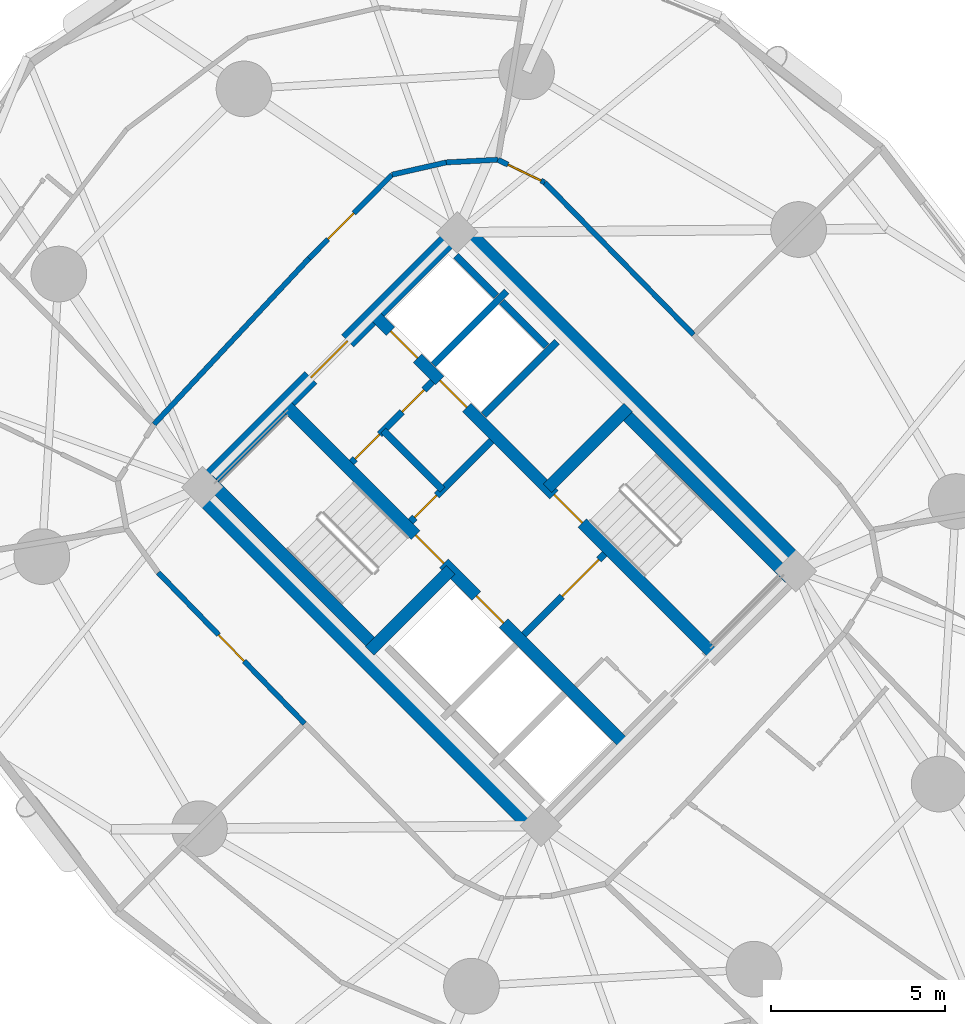
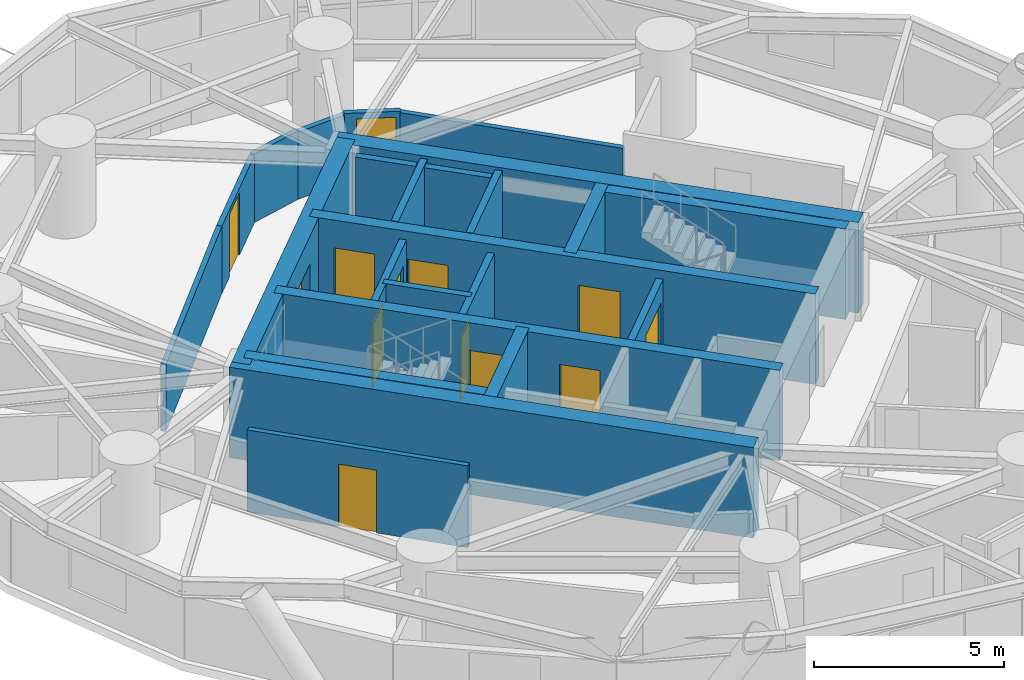
# One storey, part 13 of 19: 24 walls, 13 doors, 13 openings.
"""IFC4 building model written with IfcOpenShell, lengths in metres."""

from ifc_helpers import new_model, si_unit, direction, frame, frame_2d, origin, place, context, subcontext, project, spatial, rectangle, extrude, source, transform, mapped, material, layer, layer_set, type_object, element, fill, save


model = new_model("IFC4")

# Units and contexts
model_context = context("Model", 3, precision=1e-05, world=origin(), true_north=direction((0.0, 1.0)))
body_context = subcontext(model_context, "Body", "Model", "MODEL_VIEW")
ifc_project = project(units=[si_unit("LENGTHUNIT", "METRE"), si_unit("AREAUNIT", "SQUARE_METRE"), si_unit("VOLUMEUNIT", "CUBIC_METRE"), si_unit("PLANEANGLEUNIT", "RADIAN"), si_unit("MASSUNIT", "GRAM", prefix="KILO")], contexts=[model_context])

# Site, building, storey
site_placement = place(None, origin())
site = spatial("IfcSite", under=ifc_project, at=site_placement, CompositionType="ELEMENT")
building_placement = place(site_placement, origin())
building = spatial("IfcBuilding", under=site, at=building_placement, Name="Cununo Teusaquillo Station Towers", CompositionType="ELEMENT")
storey_placement = place(building_placement, frame((0.0, 0.0, 42.3701171875)))
storey = spatial("IfcBuildingStorey", under=building, at=storey_placement, Name="L12", CompositionType="ELEMENT", Elevation=42.3701171875)

# Walls
ifc_material_1 = material(Name="Concrete C50/60", Category="concrete")
ifc_layer_1 = layer(ifc_material_1, 0.199951171875)
ifc_layer_set_1 = layer_set([ifc_layer_1], Name="Concrete C50/60")
wall_type_1 = type_object("IfcWallType", Name="WL-CORE-200", PredefinedType="SHEAR", material=ifc_layer_set_1)
wall_1_placement = place(storey_placement, frame((57.0615234375, 27.781005859375, 0.0), z_axis=(0.0, 0.0, 1.0), x_axis=(0.707106781187, 0.707106781187, 0.0)))
element("IfcWall", 1, at=wall_1_placement, inside=storey, type_object=wall_type_1, Name="L12 Tower B Low-Rise Lift Hoistway South Shear Wall", PredefinedType="SHEAR", context=body_context, shape_type="SweptSolid", body=[
    extrude(rectangle(XDim=2.969970703125, YDim=0.199951171875, at=frame_2d((1.48486328125, 0.0))), origin(), (0.0, 0.0, 1.0), 2.909912109375),
])
wall_2_placement = place(storey_placement, frame((55.615478515625, 29.22705078125, 0.0), z_axis=(0.0, 0.0, 1.0), x_axis=(0.707147878904, 0.70706568108, 0.0)))
element("IfcWall", 2, at=wall_2_placement, inside=storey, type_object=wall_type_1, Name="L12 Tower B Low-Rise Lift Hoistway Divider Shear Wall", PredefinedType="SHEAR", context=body_context, shape_type="SweptSolid", body=[
    extrude(rectangle(XDim=2.97021484375, YDim=0.199951171875, at=frame_2d((1.485107421875, 0.0))), origin(), (0.0, 0.0, 1.0), 2.909912109375),
])
wall_3_placement = place(storey_placement, frame((58.86474609375, 29.75390625, 0.0), z_axis=(0.0, 0.0, 1.0), x_axis=(-0.707174411312, 0.707039144592, 0.0)))
element("IfcWall", 3, at=wall_3_placement, inside=storey, type_object=wall_type_1, Name="L12 Tower B Low-Rise Lift 1 Shaft Rear Shear Wall", PredefinedType="SHEAR", context=body_context, shape_type="SweptSolid", body=[
    extrude(rectangle(XDim=1.804931640625, YDim=0.199951171875, at=frame_2d((0.90234375, 0.0))), origin(), (0.0, 0.0, 1.0), 2.909912109375),
])
wall_4_placement = place(storey_placement, frame((57.418701171875, 31.19970703125, 0.0), z_axis=(0.0, 0.0, 1.0), x_axis=(-0.707032117043, 0.707181437447, 0.0)))
element("IfcWall", 4, at=wall_4_placement, inside=storey, type_object=wall_type_1, Name="L12 Tower B Low-Rise Lift 2 Shaft Rear Shear Wall", PredefinedType="SHEAR", context=body_context, shape_type="SweptSolid", body=[
    extrude(rectangle(XDim=1.635009765625, YDim=0.199951171875, at=frame_2d((0.8173828125, 0.0))), origin(), (0.0, 0.0, 1.0), 2.909912109375),
])

# Wall, openings, doors
ifc_material_2 = material(Name="Concrete C50/60", Category="concrete")
ifc_layer_2 = layer(ifc_material_2, 0.35009765625)
ifc_layer_set_2 = layer_set([ifc_layer_2], Name="Concrete C50/60")
wall_type_2 = type_object("IfcWallType", Name="WL-CORE-350", PredefinedType="SHEAR", material=ifc_layer_set_2)
wall_5_placement = place(storey_placement, frame((61.095703125, 18.337646484375, 0.0), z_axis=(0.0, 0.0, 1.0), x_axis=(-0.707106781187, 0.707106781187, 0.0)))
wall_5 = element("IfcWall", 5, at=wall_5_placement, inside=storey, type_object=wall_type_2, Name="L12 Tower B Core Shear Wall IW", PredefinedType="SHEAR", context=body_context, shape_type="SweptSolid", body=[
    extrude(rectangle(XDim=13.800048828125, YDim=0.35009765625, at=frame_2d((6.89990234375, 0.0))), origin(), (0.0, 0.0, 1.0), 2.909912109375),
])
shared_shape_1 = source(origin(), body_context, "Body", "SweptSolid", [
    extrude(rectangle(XDim=1.10009765625, YDim=2.014892578125, at=frame_2d((0.550048828125, 1.00732421875))), frame((0.0, 0.18505859375, 0.0), z_axis=(0.0, -1.0, 0.0), x_axis=(1.0, 0.0, 0.0)), (0.0, 0.0, 1.0), 0.3701171875),
])
opening_1_placement = place(wall_5_placement, frame((4.89990234375, 0.0, 0.0)))
opening_1 = element("IfcOpeningElement", 6, at=opening_1_placement, cuts=wall_5, Name="Opening LD-01", PredefinedType="OPENING", context=body_context, shape_type="MappedRepresentation", body=[
    mapped(shared_shape_1, transform((0.0, 0.0, 0.0), x_axis=(1.0, 0.0, 0.0), y_axis=(0.0, 1.0, 0.0), z_axis=(0.0, 0.0, 1.0), scale=1.0)),
])
shared_shape_2 = source(origin(), body_context, "Body", "SweptSolid", [
    extrude(rectangle(XDim=1.14990234375, YDim=2.02001953125, at=frame_2d((0.574951171875, 1.010009765625))), frame((0.0, 0.18505859375, 0.0), z_axis=(0.0, -1.0, 0.0), x_axis=(1.0, 0.0, 0.0)), (0.0, 0.0, 1.0), 0.3701171875),
])
opening_2_placement = place(wall_5_placement, frame((7.320068359375, 0.0, 0.0)))
opening_2 = element("IfcOpeningElement", 7, at=opening_2_placement, cuts=wall_5, Name="Opening D-ST1", PredefinedType="OPENING", context=body_context, shape_type="MappedRepresentation", body=[
    mapped(shared_shape_2, transform((0.0, 0.0, 0.0), x_axis=(1.0, 0.0, 0.0), y_axis=(0.0, 1.0, 0.0), z_axis=(0.0, 0.0, 1.0), scale=1.0)),
])
ifc_material_3 = material(Name="Galvanised fire-rated hollow steel door assembly", Category="steel")
door_type_1 = type_object("IfcDoorType", Name="DR-LIFT-1100", OperationType="SLIDING_TO_LEFT", PredefinedType="DOOR", material=ifc_material_3)
shared_shape_3 = source(origin(), body_context, "Body", "SweptSolid", [
    extrude(rectangle(XDim=1.10009765625, YDim=2.014892578125, at=frame_2d((0.550048828125, 1.00732421875))), frame((0.0, 0.02490234375, 0.0), z_axis=(0.0, -1.0, 0.0), x_axis=(1.0, 0.0, 0.0)), (0.0, 0.0, 1.0), 0.050048828125),
])
door_1_placement = place(opening_1_placement, origin())
door_1 = element("IfcDoor", 8, at=door_1_placement, inside=storey, type_object=door_type_1, Name="L12 Lift FL-T2 Sliding Landing Door", OperationType="SLIDING_TO_RIGHT", OverallHeight=2.014892578125, OverallWidth=1.10009765625, PredefinedType="DOOR", context=body_context, shape_type="MappedRepresentation", body=[
    mapped(shared_shape_3, transform((0.0, 0.0, 0.0), x_axis=(1.0, 0.0, 0.0), y_axis=(0.0, 1.0, 0.0), z_axis=(0.0, 0.0, 1.0), scale=1.0)),
])
fill(opening_1, door_1)
ifc_material_4 = material(Name="Galvanised fire-rated hollow steel door assembly", Category="steel")
door_type_2 = type_object("IfcDoorType", Name="DR-STAIR-1150", OperationType="NOTDEFINED", PredefinedType="DOOR", material=ifc_material_4)
shared_shape_4 = source(origin(), body_context, "Body", "SweptSolid", [
    extrude(rectangle(XDim=1.14990234375, YDim=2.02001953125, at=frame_2d((0.574951171875, 1.010009765625))), frame((0.0, 0.02490234375, 0.0), z_axis=(0.0, -1.0, 0.0), x_axis=(1.0, 0.0, 0.0)), (0.0, 0.0, 1.0), 0.050048828125),
])
door_2_placement = place(opening_2_placement, origin())
door_2 = element("IfcDoor", 9, at=door_2_placement, inside=storey, type_object=door_type_2, Name="L12 Tower B Exit Stair 1 Fire Door", OperationType="SINGLE_SWING_RIGHT", OverallHeight=2.02001953125, OverallWidth=1.14990234375, PredefinedType="DOOR", context=body_context, shape_type="MappedRepresentation", body=[
    mapped(shared_shape_4, transform((0.0, 0.0, 0.0), x_axis=(1.0, 0.0, 0.0), y_axis=(0.0, 1.0, 0.0), z_axis=(0.0, 0.0, 1.0), scale=1.0)),
])
fill(opening_2, door_2)

wall_6_placement = place(storey_placement, frame((63.662353515625, 20.904296875, 0.0), z_axis=(0.0, 0.0, 1.0), x_axis=(-0.707106781187, 0.707106781187, 0.0)))
wall_6 = element("IfcWall", 10, at=wall_6_placement, inside=storey, type_object=wall_type_2, Name="L12 Tower B Core Shear Wall IE", PredefinedType="SHEAR", context=body_context, shape_type="SweptSolid", body=[
    extrude(rectangle(XDim=13.800048828125, YDim=0.35009765625, at=frame_2d((6.89990234375, 0.0))), origin(), (0.0, 0.0, 1.0), 2.909912109375),
])
opening_3_placement = place(wall_6_placement, frame((10.02490234375, 0.0, 0.0)))
opening_3 = element("IfcOpeningElement", 11, at=opening_3_placement, cuts=wall_6, Name="Opening LD-01", PredefinedType="OPENING", context=body_context, shape_type="MappedRepresentation", body=[
    mapped(shared_shape_1, transform((0.0, 0.0, 0.0), x_axis=(1.0, 0.0, 0.0), y_axis=(0.0, 1.0, 0.0), z_axis=(0.0, 0.0, 1.0), scale=1.0)),
])
opening_4_placement = place(wall_6_placement, frame((12.02490234375, 0.0, 0.0)))
opening_4 = element("IfcOpeningElement", 12, at=opening_4_placement, cuts=wall_6, Name="Opening LD-01", PredefinedType="OPENING", context=body_context, shape_type="MappedRepresentation", body=[
    mapped(shared_shape_1, transform((0.0, 0.0, 0.0), x_axis=(1.0, 0.0, 0.0), y_axis=(0.0, 1.0, 0.0), z_axis=(0.0, 0.0, 1.0), scale=1.0)),
])
opening_5_placement = place(wall_6_placement, frame((5.330078125, 0.0, 0.0)))
opening_5 = element("IfcOpeningElement", 13, at=opening_5_placement, cuts=wall_6, Name="Opening D-ST1", PredefinedType="OPENING", context=body_context, shape_type="MappedRepresentation", body=[
    mapped(shared_shape_2, transform((0.0, 0.0, 0.0), x_axis=(1.0, 0.0, 0.0), y_axis=(0.0, 1.0, 0.0), z_axis=(0.0, 0.0, 1.0), scale=1.0)),
])
door_3_placement = place(opening_3_placement, origin())
door_3 = element("IfcDoor", 14, at=door_3_placement, inside=storey, type_object=door_type_1, Name="L12 Lift PL-T2-L1 Sliding Landing Door", OperationType="SLIDING_TO_LEFT", OverallHeight=2.014892578125, OverallWidth=1.10009765625, PredefinedType="DOOR", context=body_context, shape_type="MappedRepresentation", body=[
    mapped(shared_shape_3, transform((0.0, 0.0, 0.0), x_axis=(1.0, 0.0, 0.0), y_axis=(0.0, 1.0, 0.0), z_axis=(0.0, 0.0, 1.0), scale=1.0)),
])
fill(opening_3, door_3)
door_4_placement = place(opening_4_placement, origin())
door_4 = element("IfcDoor", 15, at=door_4_placement, inside=storey, type_object=door_type_1, Name="L12 Lift PL-T2-L2 Sliding Landing Door", OperationType="SLIDING_TO_RIGHT", OverallHeight=2.014892578125, OverallWidth=1.10009765625, PredefinedType="DOOR", context=body_context, shape_type="MappedRepresentation", body=[
    mapped(shared_shape_3, transform((0.0, 0.0, 0.0), x_axis=(1.0, 0.0, 0.0), y_axis=(0.0, 1.0, 0.0), z_axis=(0.0, 0.0, 1.0), scale=1.0)),
])
fill(opening_4, door_4)
door_5_placement = place(opening_5_placement, origin())
door_5 = element("IfcDoor", 16, at=door_5_placement, inside=storey, type_object=door_type_2, Name="L12 Tower B Exit Stair 2 Fire Door", OperationType="SINGLE_SWING_LEFT", OverallHeight=2.02001953125, OverallWidth=1.14990234375, PredefinedType="DOOR", context=body_context, shape_type="MappedRepresentation", body=[
    mapped(shared_shape_4, transform((0.0, 0.0, 0.0), x_axis=(1.0, 0.0, 0.0), y_axis=(0.0, 1.0, 0.0), z_axis=(0.0, 0.0, 1.0), scale=1.0)),
])
fill(opening_5, door_5)

# Walls
wall_7_placement = place(storey_placement, frame((53.922119140625, 21.14111328125, 0.0), z_axis=(0.0, 0.0, 1.0), x_axis=(-0.707106781187, 0.707106781187, 0.0)))
element("IfcWall", 17, at=wall_7_placement, inside=storey, type_object=wall_type_2, Name="L12 Tower B Core Shear Wall ST1W", PredefinedType="SHEAR", context=body_context, shape_type="SweptSolid", body=[
    extrude(rectangle(XDim=6.7451171875, YDim=0.35009765625, at=frame_2d((3.37255859375, 0.0))), origin(), (0.0, 0.0, 1.0), 2.909912109375),
])
wall_8_placement = place(storey_placement, frame((53.7841796875, 21.00341796875, 0.0), z_axis=(0.0, 0.0, 1.0), x_axis=(0.707106781187, 0.707106781187, 0.0)))
element("IfcWall", 18, at=wall_8_placement, inside=storey, type_object=wall_type_2, Name="L12 Tower B Core Shear Wall ST1S", PredefinedType="SHEAR", context=body_context, shape_type="SweptSolid", body=[
    extrude(rectangle(XDim=3.284912109375, YDim=0.35009765625, at=frame_2d((1.642578125, 0.0))), origin(), (0.0, 0.0, 1.0), 2.909912109375),
])
wall_9_placement = place(storey_placement, frame((65.847412109375, 23.08935546875, 0.0), z_axis=(0.0, 0.0, 1.0), x_axis=(-0.707106781187, 0.707106781187, 0.0)))
element("IfcWall", 19, at=wall_9_placement, inside=storey, type_object=wall_type_2, Name="L12 Tower B Core Shear Wall ST2E", PredefinedType="SHEAR", context=body_context, shape_type="SweptSolid", body=[
    extrude(rectangle(XDim=6.7451171875, YDim=0.35009765625, at=frame_2d((3.37255859375, 0.0))), origin(), (0.0, 0.0, 1.0), 2.909912109375),
])
wall_10_placement = place(storey_placement, frame((58.89306640625, 25.673828125, 0.0), z_axis=(0.0, 0.0, 1.0), x_axis=(0.707106781187, 0.707106781187, 0.0)))
element("IfcWall", 20, at=wall_10_placement, inside=storey, type_object=wall_type_2, Name="L12 Tower B Core Shear Wall ST2N", PredefinedType="SHEAR", context=body_context, shape_type="SweptSolid", body=[
    extrude(rectangle(XDim=3.284912109375, YDim=0.35009765625, at=frame_2d((1.642578125, 0.0))), origin(), (0.0, 0.0, 1.0), 2.909912109375),
])
ifc_material_5 = material(Name="Concrete C60/75", Category="concrete")
ifc_layer_3 = layer(ifc_material_5, 0.5)
ifc_layer_set_3 = layer_set([ifc_layer_3], Name="Concrete C60/75")
wall_type_3 = type_object("IfcWallType", Name="WL-CORE-500", PredefinedType="SHEAR", material=ifc_layer_set_3)
for number, where, z_axis, x_axis, name in (
    (21, (58.772705078125, 15.6611328125, 0.0), (0.0, 0.0, 1.0), (-0.707106781187, 0.707106781187, 0.0), "L12 Tower B Core Shear Wall W"),
    (22, (66.3388671875, 23.227294921875, 0.0), (0.0, 0.0, 1.0), (-0.707106781187, 0.707106781187, 0.0), "L12 Tower B Core Shear Wall E"),
):
    element("IfcWall", number, at=place(storey_placement, frame(where, z_axis=z_axis, x_axis=x_axis)), inside=storey, type_object=wall_type_3, Name=name, PredefinedType="SHEAR", context=body_context, shape_type="SweptSolid", body=[
        extrude(rectangle(XDim=14.2998046875, YDim=0.5, at=frame_2d((7.14990234375, 0.0))), origin(), (0.0, 0.0, 1.0), 2.909912109375),
    ])

# Wall, opening, door
wall_11_placement = place(storey_placement, frame((48.837890625, 25.595947265625, 0.0), z_axis=(0.0, 0.0, 1.0), x_axis=(0.707106781187, 0.707106781187, 0.0)))
wall_11 = element("IfcWall", 23, at=wall_11_placement, inside=storey, type_object=wall_type_3, Name="L12 Tower B Core Shear Wall N", PredefinedType="SHEAR", context=body_context, shape_type="SweptSolid", body=[
    extrude(rectangle(XDim=10.7001953125, YDim=0.5, at=frame_2d((5.35009765625, 0.0))), origin(), (0.0, 0.0, 1.0), 2.909912109375),
])
shared_shape_5 = source(origin(), body_context, "Body", "SweptSolid", [
    extrude(rectangle(XDim=1.5, YDim=2.02001953125, at=frame_2d((0.75, 1.010009765625))), frame((0.0, 0.260009765625, 0.0), z_axis=(0.0, -1.0, 0.0), x_axis=(1.0, 0.0, 0.0)), (0.0, 0.0, 1.0), 0.52001953125),
])
opening_6_placement = place(wall_11_placement, frame((4.60009765625, 0.0, 0.0)))
opening_6 = element("IfcOpeningElement", 24, at=opening_6_placement, cuts=wall_11, Name="Opening D-LB1", PredefinedType="OPENING", context=body_context, shape_type="MappedRepresentation", body=[
    mapped(shared_shape_5, transform((0.0, 0.0, 0.0), x_axis=(1.0, 0.0, 0.0), y_axis=(0.0, 1.0, 0.0), z_axis=(0.0, 0.0, 1.0), scale=1.0)),
])
ifc_material_6 = material(Name="Galvanised fire-rated hollow steel door assembly", Category="steel")
door_type_3 = type_object("IfcDoorType", Name="DR-LOBBY-1500", OperationType="DOUBLE_DOOR_SINGLE_SWING", PredefinedType="DOOR", material=ifc_material_6)
shared_shape_6 = source(origin(), body_context, "Body", "SweptSolid", [
    extrude(rectangle(XDim=1.5, YDim=2.02001953125, at=frame_2d((0.75, 1.010009765625))), frame((0.0, 0.02490234375, 0.0), z_axis=(0.0, -1.0, 0.0), x_axis=(1.0, 0.0, 0.0)), (0.0, 0.0, 1.0), 0.050048828125),
])
door_6_placement = place(opening_6_placement, origin())
door_6 = element("IfcDoor", 25, at=door_6_placement, inside=storey, type_object=door_type_3, Name="L12 Tower B North Core Lift Lobby Door", OperationType="DOUBLE_DOOR_SINGLE_SWING", OverallHeight=2.02001953125, OverallWidth=1.5, PredefinedType="DOOR", context=body_context, shape_type="MappedRepresentation", body=[
    mapped(shared_shape_6, transform((0.0, 0.0, 0.0), x_axis=(1.0, 0.0, 0.0), y_axis=(0.0, 1.0, 0.0), z_axis=(0.0, 0.0, 1.0), scale=1.0)),
])
fill(opening_6, door_6)

# Wall
ifc_material_7 = material(Name="Fire-rated gypsum plasterboard partition assembly", Category="gypsum")
ifc_layer_4 = layer(ifc_material_7, 0.14990234375)
ifc_layer_set_4 = layer_set([ifc_layer_4], Name="Fire-rated gypsum plasterboard partition assembly")
wall_type_4 = type_object("IfcWallType", Name="WL-PART-150", PredefinedType="PARTITIONING", material=ifc_layer_set_4)
wall_12_placement = place(storey_placement, frame((63.086181640625, 30.086181640625, 0.0), z_axis=(0.0, 0.0, 1.0), x_axis=(-0.699075897379, 0.715047473741, 0.0)))
element("IfcWall", 26, at=wall_12_placement, inside=storey, type_object=wall_type_4, Name="L12 Tower B Corridor Ring Wall C00", PredefinedType="PARTITIONING", context=body_context, shape_type="SweptSolid", body=[
    extrude(rectangle(XDim=6.1142578125, YDim=0.14990234375, at=frame_2d((3.05712890625, 0.0))), origin(), (0.0, 0.0, 1.0), 2.158935546875),
])

# Wall, opening, door
wall_13_placement = place(storey_placement, frame((58.811767578125, 34.458251953125, 0.0), z_axis=(0.0, 0.0, 1.0), x_axis=(-0.899559490277, 0.436798264021, 0.0)))
wall_13 = element("IfcWall", 27, at=wall_13_placement, inside=storey, type_object=wall_type_4, Name="L12 Tower B Corridor Ring Wall C01", PredefinedType="PARTITIONING", context=body_context, shape_type="SweptSolid", body=[
    extrude(rectangle(XDim=1.4951171875, YDim=0.14990234375, at=frame_2d((0.74755859375, 0.0))), origin(), (0.0, 0.0, 1.0), 2.204833984375),
])
shared_shape_7 = source(origin(), body_context, "Body", "SweptSolid", [
    extrude(rectangle(XDim=1.050048828125, YDim=2.014892578125, at=frame_2d((0.52490234375, 1.00732421875))), frame((0.0, 0.0849609375, 0.0), z_axis=(0.0, -1.0, 0.0), x_axis=(1.0, 0.0, 0.0)), (0.0, 0.0, 1.0), 0.169921875),
])
opening_7_placement = place(wall_13_placement, frame((0.1201171875, 0.0, 0.0)))
opening_7 = element("IfcOpeningElement", 28, at=opening_7_placement, cuts=wall_13, Name="Opening D-SU1", PredefinedType="OPENING", context=body_context, shape_type="MappedRepresentation", body=[
    mapped(shared_shape_7, transform((0.0, 0.0, 0.0), x_axis=(1.0, 0.0, 0.0), y_axis=(0.0, 1.0, 0.0), z_axis=(0.0, 0.0, 1.0), scale=1.0)),
])
ifc_material_8 = material(Name="Acoustic solid-core hardwood leaf assembly", Category="wood")
door_type_4 = type_object("IfcDoorType", Name="DR-SUITE-1050", OperationType="NOTDEFINED", PredefinedType="DOOR", material=ifc_material_8)
shared_shape_8 = source(origin(), body_context, "Body", "SweptSolid", [
    extrude(rectangle(XDim=1.050048828125, YDim=2.014892578125, at=frame_2d((0.52490234375, 1.00732421875))), frame((0.0, 0.02490234375, 0.0), z_axis=(0.0, -1.0, 0.0), x_axis=(1.0, 0.0, 0.0)), (0.0, 0.0, 1.0), 0.050048828125),
])
door_7_placement = place(opening_7_placement, origin())
door_7 = element("IfcDoor", 29, at=door_7_placement, inside=storey, type_object=door_type_4, Name="L12 Tower B Hotel Grand Dining & Tea Lounge Entrance Door", OperationType="SINGLE_SWING_LEFT", OverallHeight=2.014892578125, OverallWidth=1.050048828125, PredefinedType="DOOR", context=body_context, shape_type="MappedRepresentation", body=[
    mapped(shared_shape_8, transform((0.0, 0.0, 0.0), x_axis=(1.0, 0.0, 0.0), y_axis=(0.0, 1.0, 0.0), z_axis=(0.0, 0.0, 1.0), scale=1.0)),
])
fill(opening_7, door_7)

# Walls
wall_14_placement = place(storey_placement, frame((57.466796875, 35.111328125, 0.0), z_axis=(0.0, 0.0, 1.0), x_axis=(-0.998691757323, -0.051134859488, 0.0)))
element("IfcWall", 30, at=wall_14_placement, inside=storey, type_object=wall_type_4, Name="L12 Tower B Corridor Ring Wall C02", PredefinedType="PARTITIONING", context=body_context, shape_type="SweptSolid", body=[
    extrude(rectangle(XDim=1.48486328125, YDim=0.14990234375, at=frame_2d((0.742431640625, 0.0))), origin(), (0.0, 0.0, 1.0), 2.158935546875),
])
wall_15_placement = place(storey_placement, frame((55.98388671875, 35.035400390625, 0.0), z_axis=(0.0, 0.0, 1.0), x_axis=(-0.975290305708, -0.22092718165, 0.0)))
element("IfcWall", 31, at=wall_15_placement, inside=storey, type_object=wall_type_4, Name="L12 Tower B Corridor Ring Wall C03", PredefinedType="PARTITIONING", context=body_context, shape_type="SweptSolid", body=[
    extrude(rectangle(XDim=1.596923828125, YDim=0.14990234375, at=frame_2d((0.79833984375, 0.0))), origin(), (0.0, 0.0, 1.0), 2.204833984375),
])

# Wall, opening, door
wall_16_placement = place(storey_placement, frame((54.426513671875, 34.6826171875, 0.0), z_axis=(0.0, 0.0, 1.0), x_axis=(-0.704178989986, -0.710022499687, 0.0)))
wall_16 = element("IfcWall", 32, at=wall_16_placement, inside=storey, type_object=wall_type_4, Name="L12 Tower B Corridor Ring Wall C04", PredefinedType="PARTITIONING", context=body_context, shape_type="SweptSolid", body=[
    extrude(rectangle(XDim=3.38427734375, YDim=0.14990234375, at=frame_2d((1.692138671875, 0.0))), origin(), (0.0, 0.0, 1.0), 2.158935546875),
])
opening_8_placement = place(wall_16_placement, frame((1.5595703125, 0.0, 0.0)))
opening_8 = element("IfcOpeningElement", 33, at=opening_8_placement, cuts=wall_16, Name="Opening D-SU1", PredefinedType="OPENING", context=body_context, shape_type="MappedRepresentation", body=[
    mapped(shared_shape_7, transform((0.0, 0.0, 0.0), x_axis=(1.0, 0.0, 0.0), y_axis=(0.0, 1.0, 0.0), z_axis=(0.0, 0.0, 1.0), scale=1.0)),
])
door_8_placement = place(opening_8_placement, origin())
door_8 = element("IfcDoor", 34, at=door_8_placement, inside=storey, type_object=door_type_4, Name="L12 Tower B Royal Corner Hotel Suite Entrance Door", OperationType="SINGLE_SWING_RIGHT", OverallHeight=2.014892578125, OverallWidth=1.050048828125, PredefinedType="DOOR", context=body_context, shape_type="MappedRepresentation", body=[
    mapped(shared_shape_8, transform((0.0, 0.0, 0.0), x_axis=(1.0, 0.0, 0.0), y_axis=(0.0, 1.0, 0.0), z_axis=(0.0, 0.0, 1.0), scale=1.0)),
])
fill(opening_8, door_8)

# Wall
wall_17_placement = place(storey_placement, frame((52.04345703125, 32.27978515625, 0.0), z_axis=(0.0, 0.0, 1.0), x_axis=(-0.682606081633, -0.730786519661, 0.0)))
element("IfcWall", 35, at=wall_17_placement, inside=storey, type_object=wall_type_4, Name="L12 Tower B Corridor Ring Wall C05", PredefinedType="PARTITIONING", context=body_context, shape_type="SweptSolid", body=[
    extrude(rectangle(XDim=6.526611328125, YDim=0.14990234375, at=frame_2d((3.26318359375, 0.0))), origin(), (0.0, 0.0, 1.0), 2.158935546875),
])

# Wall, opening, door
wall_18_placement = place(storey_placement, frame((47.70556640625, 23.253173828125, 0.0), z_axis=(0.0, 0.0, 1.0), x_axis=(0.696179266346, -0.717867974707, 0.0)))
wall_18 = element("IfcWall", 36, at=wall_18_placement, inside=storey, type_object=wall_type_4, Name="L12 Tower B Corridor Ring Wall C09", PredefinedType="PARTITIONING", context=body_context, shape_type="SweptSolid", body=[
    extrude(rectangle(XDim=6.044677734375, YDim=0.14990234375, at=frame_2d((3.0224609375, 0.0))), origin(), (0.0, 0.0, 1.0), 2.634765625),
])
opening_9_placement = place(wall_18_placement, frame((2.497314453125, 0.0, 0.0)))
opening_9 = element("IfcOpeningElement", 37, at=opening_9_placement, cuts=wall_18, Name="Opening D-SU1", PredefinedType="OPENING", context=body_context, shape_type="MappedRepresentation", body=[
    mapped(shared_shape_7, transform((0.0, 0.0, 0.0), x_axis=(1.0, 0.0, 0.0), y_axis=(0.0, 1.0, 0.0), z_axis=(0.0, 0.0, 1.0), scale=1.0)),
])
door_9_placement = place(opening_9_placement, origin())
door_9 = element("IfcDoor", 38, at=door_9_placement, inside=storey, type_object=door_type_4, Name="L12 Tower B Hotel Hydrotherapy Wellness Spa Entrance Door", OperationType="SINGLE_SWING_LEFT", OverallHeight=2.014892578125, OverallWidth=1.050048828125, PredefinedType="DOOR", context=body_context, shape_type="MappedRepresentation", body=[
    mapped(shared_shape_8, transform((0.0, 0.0, 0.0), x_axis=(1.0, 0.0, 0.0), y_axis=(0.0, 1.0, 0.0), z_axis=(0.0, 0.0, 1.0), scale=1.0)),
])
fill(opening_9, door_9)

ifc_material_9 = material(Name="Fire-rated gypsum plasterboard partition assembly", Category="gypsum")
ifc_layer_5 = layer(ifc_material_9, 0.199951171875)
ifc_layer_set_5 = layer_set([ifc_layer_5], Name="Fire-rated gypsum plasterboard partition assembly")
wall_type_5 = type_object("IfcWallType", Name="WL-PART-200", PredefinedType="PARTITIONING", material=ifc_layer_set_5)
wall_19_placement = place(storey_placement, frame((58.214111328125, 21.466552734375, 0.0), z_axis=(0.0, 0.0, 1.0), x_axis=(0.707106781187, 0.707106781187, 0.0)))
wall_19 = element("IfcWall", 39, at=wall_19_placement, inside=storey, type_object=wall_type_5, Name="L12 Tower B Firefighting Lift Lobby South Fire Wall", PredefinedType="PARTITIONING", context=body_context, shape_type="SweptSolid", body=[
    extrude(rectangle(XDim=3.280029296875, YDim=0.199951171875, at=frame_2d((1.64013671875, 0.0))), origin(), (0.0, 0.0, 1.0), 2.634765625),
])
shared_shape_9 = source(origin(), body_context, "Body", "SweptSolid", [
    extrude(rectangle(XDim=1.5, YDim=2.02001953125, at=frame_2d((0.75, 1.010009765625))), frame((0.0, 0.10986328125, 0.0), z_axis=(0.0, -1.0, 0.0), x_axis=(1.0, 0.0, 0.0)), (0.0, 0.0, 1.0), 0.219970703125),
])
opening_10_placement = place(wall_19_placement, frame((1.550048828125, 0.0, 0.0)))
opening_10 = element("IfcOpeningElement", 40, at=opening_10_placement, cuts=wall_19, Name="Opening D-LB1", PredefinedType="OPENING", context=body_context, shape_type="MappedRepresentation", body=[
    mapped(shared_shape_9, transform((0.0, 0.0, 0.0), x_axis=(1.0, 0.0, 0.0), y_axis=(0.0, 1.0, 0.0), z_axis=(0.0, 0.0, 1.0), scale=1.0)),
])
door_10_placement = place(opening_10_placement, origin())
door_10 = element("IfcDoor", 41, at=door_10_placement, inside=storey, type_object=door_type_3, Name="L12 Tower B Firefighting Lift Lobby South Fire Door", OperationType="DOUBLE_DOOR_SINGLE_SWING", OverallHeight=2.02001953125, OverallWidth=1.5, PredefinedType="DOOR", context=body_context, shape_type="MappedRepresentation", body=[
    mapped(shared_shape_6, transform((0.0, 0.0, 0.0), x_axis=(1.0, 0.0, 0.0), y_axis=(0.0, 1.0, 0.0), z_axis=(0.0, 0.0, 1.0), scale=1.0)),
])
fill(opening_10, door_10)

wall_20_placement = place(storey_placement, frame((54.96142578125, 24.71923828125, 0.0), z_axis=(0.0, 0.0, 1.0), x_axis=(0.707106781187, 0.707106781187, 0.0)))
wall_20 = element("IfcWall", 42, at=wall_20_placement, inside=storey, type_object=wall_type_5, Name="L12 Tower B Firefighting Lift Lobby North Fire Wall", PredefinedType="PARTITIONING", context=body_context, shape_type="SweptSolid", body=[
    extrude(rectangle(XDim=3.280029296875, YDim=0.199951171875, at=frame_2d((1.64013671875, 0.0))), origin(), (0.0, 0.0, 1.0), 2.634765625),
])
shared_shape_10 = source(origin(), body_context, "Body", "SweptSolid", [
    extrude(rectangle(XDim=0.89990234375, YDim=2.0048828125, at=frame_2d((0.449951171875, 1.00244140625))), frame((0.0, 0.10986328125, 0.0), z_axis=(0.0, -1.0, 0.0), x_axis=(1.0, 0.0, 0.0)), (0.0, 0.0, 1.0), 0.219970703125),
])
opening_11_placement = place(wall_20_placement, frame((0.159912109375, 0.0, 0.0)))
opening_11 = element("IfcOpeningElement", 43, at=opening_11_placement, cuts=wall_20, Name="Opening D-SR1", PredefinedType="OPENING", context=body_context, shape_type="MappedRepresentation", body=[
    mapped(shared_shape_10, transform((0.0, 0.0, 0.0), x_axis=(1.0, 0.0, 0.0), y_axis=(0.0, 1.0, 0.0), z_axis=(0.0, 0.0, 1.0), scale=1.0)),
])
ifc_material_10 = material(Name="Galvanised fire-rated hollow steel door assembly", Category="steel")
door_type_5 = type_object("IfcDoorType", Name="DR-STORE-900", OperationType="NOTDEFINED", PredefinedType="DOOR", material=ifc_material_10)
shared_shape_11 = source(origin(), body_context, "Body", "SweptSolid", [
    extrude(rectangle(XDim=0.89990234375, YDim=2.0048828125, at=frame_2d((0.449951171875, 1.00244140625))), frame((0.0, 0.02490234375, 0.0), z_axis=(0.0, -1.0, 0.0), x_axis=(1.0, 0.0, 0.0)), (0.0, 0.0, 1.0), 0.050048828125),
])
door_11_placement = place(opening_11_placement, origin())
door_11 = element("IfcDoor", 44, at=door_11_placement, inside=storey, type_object=door_type_5, Name="L12 Tower B Stair 1 Protected Vestibule South Door", OperationType="SINGLE_SWING_RIGHT", OverallHeight=2.0048828125, OverallWidth=0.89990234375, PredefinedType="DOOR", context=body_context, shape_type="MappedRepresentation", body=[
    mapped(shared_shape_11, transform((0.0, 0.0, 0.0), x_axis=(1.0, 0.0, 0.0), y_axis=(0.0, 1.0, 0.0), z_axis=(0.0, 0.0, 1.0), scale=1.0)),
])
fill(opening_11, door_11)

# Wall
wall_21_placement = place(storey_placement, frame((55.873779296875, 25.63134765625, 0.0), z_axis=(0.0, 0.0, 1.0), x_axis=(-0.707157639372, 0.707055919343, 0.0)))
element("IfcWall", 45, at=wall_21_placement, inside=storey, type_object=wall_type_5, Name="L12 Tower B Stair 1 Vestibule Partition Wall", PredefinedType="PARTITIONING", context=body_context, shape_type="SweptSolid", body=[
    extrude(rectangle(XDim=2.400146484375, YDim=0.199951171875, at=frame_2d((1.2001953125, 0.0))), origin(), (0.0, 0.0, 1.0), 2.634765625),
])

# Wall, openings, doors
wall_22_placement = place(storey_placement, frame((53.264404296875, 26.416259765625, 0.0), z_axis=(0.0, 0.0, 1.0), x_axis=(0.707106781187, 0.707106781187, 0.0)))
wall_22 = element("IfcWall", 46, at=wall_22_placement, inside=storey, type_object=wall_type_5, Name="L12 Tower B North Lift Lobby South Fire Wall", PredefinedType="PARTITIONING", context=body_context, shape_type="SweptSolid", body=[
    extrude(rectangle(XDim=3.280029296875, YDim=0.199951171875, at=frame_2d((1.64013671875, 0.0))), origin(), (0.0, 0.0, 1.0), 2.634765625),
])
shared_shape_12 = source(origin(), body_context, "Body", "SweptSolid", [
    extrude(rectangle(XDim=1.0, YDim=2.014892578125, at=frame_2d((0.5, 1.00732421875))), frame((0.0, 0.10986328125, 0.0), z_axis=(0.0, -1.0, 0.0), x_axis=(1.0, 0.0, 0.0)), (0.0, 0.0, 1.0), 0.219970703125),
])
opening_12_placement = place(wall_22_placement, frame((0.139892578125, 0.0, 0.0)))
opening_12 = element("IfcOpeningElement", 47, at=opening_12_placement, cuts=wall_22, Name="Opening D-AC1", PredefinedType="OPENING", context=body_context, shape_type="MappedRepresentation", body=[
    mapped(shared_shape_12, transform((0.0, 0.0, 0.0), x_axis=(1.0, 0.0, 0.0), y_axis=(0.0, 1.0, 0.0), z_axis=(0.0, 0.0, 1.0), scale=1.0)),
])
opening_13_placement = place(wall_22_placement, frame((2.050048828125, 0.0, 0.0)))
opening_13 = element("IfcOpeningElement", 48, at=opening_13_placement, cuts=wall_22, Name="Opening D-SR1", PredefinedType="OPENING", context=body_context, shape_type="MappedRepresentation", body=[
    mapped(shared_shape_10, transform((0.0, 0.0, 0.0), x_axis=(1.0, 0.0, 0.0), y_axis=(0.0, 1.0, 0.0), z_axis=(0.0, 0.0, 1.0), scale=1.0)),
])
door_12_placement = place(opening_13_placement, origin())
door_12 = element("IfcDoor", 49, at=door_12_placement, inside=storey, type_object=door_type_5, Name="L12 Tower B Core Housekeeping & Linen Store Door", OperationType="SINGLE_SWING_LEFT", OverallHeight=2.0048828125, OverallWidth=0.89990234375, PredefinedType="DOOR", context=body_context, shape_type="MappedRepresentation", body=[
    mapped(shared_shape_11, transform((0.0, 0.0, 0.0), x_axis=(1.0, 0.0, 0.0), y_axis=(0.0, 1.0, 0.0), z_axis=(0.0, 0.0, 1.0), scale=1.0)),
])
fill(opening_13, door_12)
ifc_material_11 = material(Name="Acoustic solid-core hardwood leaf assembly", Category="wood")
door_type_6 = type_object("IfcDoorType", Name="DR-ACC-1000", OperationType="NOTDEFINED", PredefinedType="DOOR", material=ifc_material_11)
shared_shape_13 = source(origin(), body_context, "Body", "SweptSolid", [
    extrude(rectangle(XDim=1.0, YDim=2.014892578125, at=frame_2d((0.5, 1.00732421875))), frame((0.0, 0.02490234375, 0.0), z_axis=(0.0, -1.0, 0.0), x_axis=(1.0, 0.0, 0.0)), (0.0, 0.0, 1.0), 0.050048828125),
])
door_13_placement = place(opening_12_placement, origin())
door_13 = element("IfcDoor", 50, at=door_13_placement, inside=storey, type_object=door_type_6, Name="L12 Tower B North Lift Lobby to Stair 1 Vestibule Door", OperationType="SINGLE_SWING_LEFT", OverallHeight=2.014892578125, OverallWidth=1.0, PredefinedType="DOOR", context=body_context, shape_type="MappedRepresentation", body=[
    mapped(shared_shape_13, transform((0.0, 0.0, 0.0), x_axis=(1.0, 0.0, 0.0), y_axis=(0.0, 1.0, 0.0), z_axis=(0.0, 0.0, 1.0), scale=1.0)),
])
fill(opening_12, door_13)

save(model, "model.ifc")
